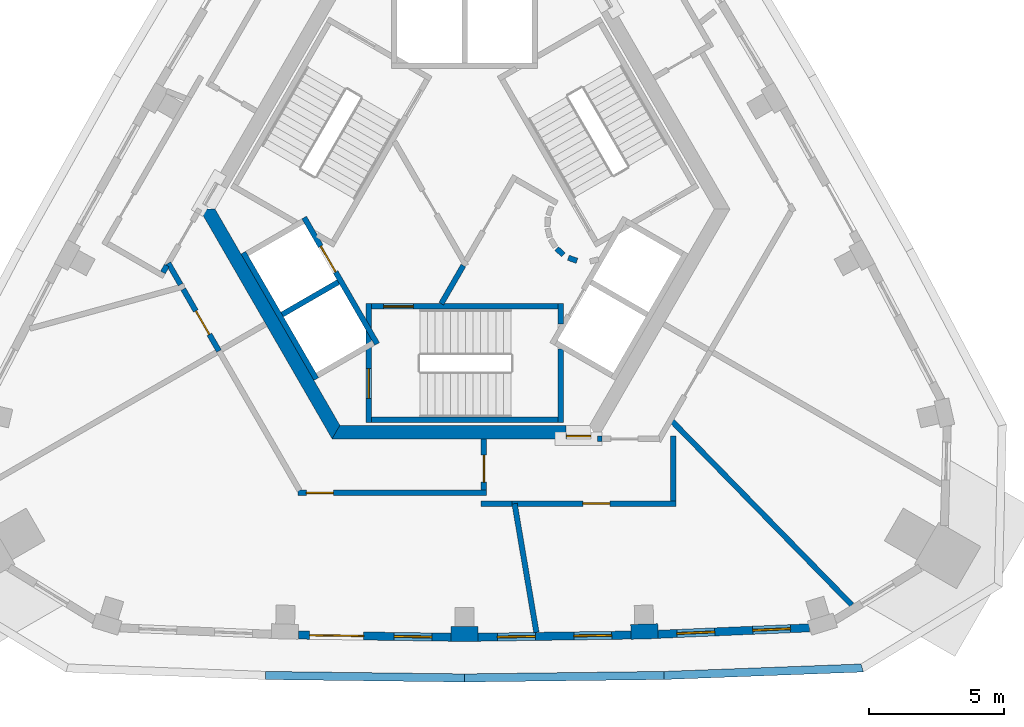
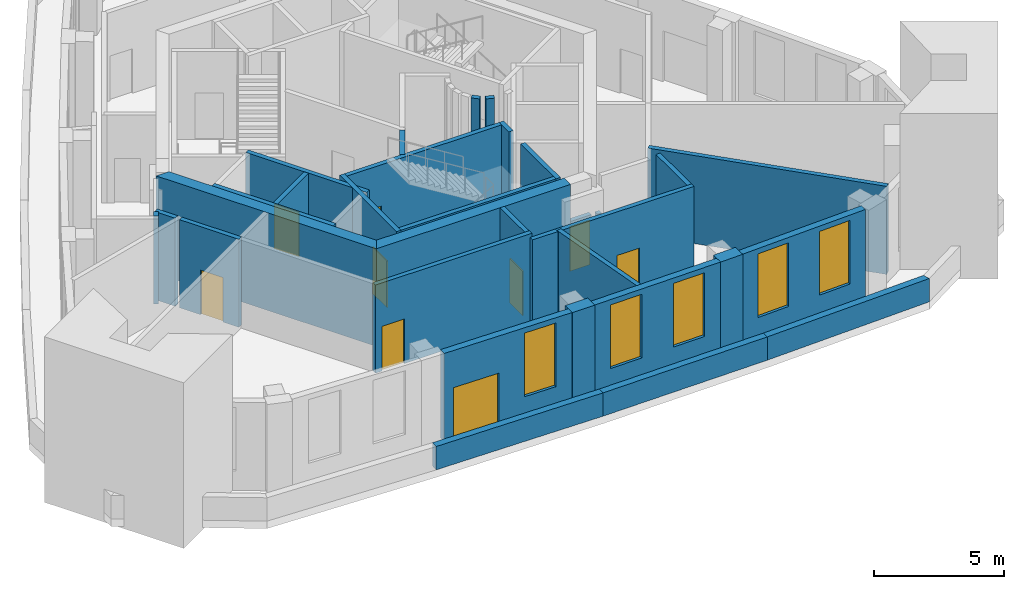
# One storey, part 2 of 7: 33 walls, 9 doors, 5 windows, 14 openings.
"""IFC4 building model written with IfcOpenShell, lengths in metres."""

from ifc_helpers import new_model, si_unit, direction, frame, frame_2d, origin, place, context, subcontext, project, spatial, polyline, rectangle, outline, extrude, material, layer, layer_set, type_object, element, fill, save


model = new_model("IFC4")

# Units and contexts
model_context = context("Model", 3, precision=1e-05, world=origin(), true_north=direction((0.0, 1.0)))
body_context = subcontext(model_context, "Body", "Model", "MODEL_VIEW")
ifc_project = project(units=[si_unit("LENGTHUNIT", "METRE"), si_unit("AREAUNIT", "SQUARE_METRE"), si_unit("VOLUMEUNIT", "CUBIC_METRE"), si_unit("PLANEANGLEUNIT", "RADIAN"), si_unit("MASSUNIT", "GRAM", prefix="KILO")], contexts=[model_context])

# Site, building, storey
site_placement = place(None, origin())
site = spatial("IfcSite", under=ifc_project, at=site_placement, CompositionType="ELEMENT")
building_placement = place(site_placement, origin())
building = spatial("IfcBuilding", under=site, at=building_placement, Name="Entoto Arch Interchange Tower", CompositionType="ELEMENT")
storey_placement = place(building_placement, frame((0.0, 0.0, 349.39990234375)))
storey = spatial("IfcBuildingStorey", under=building, at=storey_placement, Name="L82", CompositionType="ELEMENT", Elevation=349.39990234375)

# Wall, opening, door
ifc_material_1 = material(Name="Reinforced concrete C40/50", Category="concrete")
ifc_layer_1 = layer(ifc_material_1, 0.199951171875)
ifc_layer_set_1 = layer_set([ifc_layer_1], Name="Reinforced concrete C40/50")
wall_type_1 = type_object("IfcWallType", Name="CORE GAP INFILL WALL", PredefinedType="PARTITIONING", material=ifc_layer_set_1)
wall_1_placement = place(storey_placement, frame((3.75, -5.89990234375, 0.0), z_axis=(0.0, 0.0, 1.0), x_axis=(1.0, 0.0, 0.0)))
wall_1 = element("IfcWall", 1, at=wall_1_placement, inside=storey, type_object=wall_type_1, Name="wall:L82:gap1", PredefinedType="PARTITIONING", context=body_context, shape_type="SweptSolid", body=[
    extrude(rectangle(XDim=0.926025390625, YDim=0.199951171875, at=frame_2d((0.462890625, 0.0))), origin(), (0.0, 0.0, 1.0), 2.400146484375),
])
opening_1_placement = place(wall_1_placement, frame((0.01708984375, 0.0, 0.0)))
opening_1 = element("IfcOpeningElement", 2, at=opening_1_placement, cuts=wall_1, Name="Opening L82-D91", PredefinedType="OPENING", context=body_context, shape_type="SweptSolid", body=[
    extrude(rectangle(XDim=0.89990234375, YDim=2.10009765625, at=frame_2d((0.449951171875, 1.050048828125))), frame((0.0, 0.10986328125, 0.0), z_axis=(0.0, -1.0, 0.0), x_axis=(1.0, 0.0, 0.0)), (0.0, 0.0, 1.0), 0.219970703125),
])
ifc_material_2 = material(Name="Fire-rated Steel S235 door and frame", Category="steel")
door_type_1 = type_object("IfcDoorType", Name="DOOR FD-09 900x2100", OperationType="SINGLE_SWING_LEFT", PredefinedType="DOOR", material=ifc_material_2)
door_1_placement = place(opening_1_placement, origin())
door_1 = element("IfcDoor", 3, at=door_1_placement, inside=storey, type_object=door_type_1, Name="door:L82:gap1", OperationType="SINGLE_SWING_LEFT", OverallHeight=2.10009765625, OverallWidth=0.89990234375, PredefinedType="DOOR", context=body_context, shape_type="SweptSolid", body=[
    extrude(rectangle(XDim=0.89990234375, YDim=2.10009765625, at=frame_2d((0.449951171875, 1.050048828125))), frame((0.0, 0.02490234375, 0.0), z_axis=(0.0, -1.0, 0.0), x_axis=(1.0, 0.0, 0.0)), (0.0, 0.0, 1.0), 0.050048828125),
])
fill(opening_1, door_1)

# Walls
ifc_material_3 = material(Name="Concrete C40/50", Category="concrete")
ifc_layer_2 = layer(ifc_material_3, 0.5)
ifc_layer_set_2 = layer_set([ifc_layer_2], Name="Concrete C40/50")
wall_type_2 = type_object("IfcWallType", Name="Core wall 500 C40/50", PredefinedType="SHEAR", material=ifc_layer_set_2)
wall_2_placement = place(storey_placement, frame((0.0, 0.0, -0.449951171875)))
element("IfcWall", 4, at=wall_2_placement, inside=storey, type_object=wall_type_2, Name="Core wall SW L82", PredefinedType="SHEAR", context=body_context, shape_type="SweptSolid", body=[
    extrude(outline(polyline([(-9.81494140625, 2.5), (-4.906982421875, -6.0), (-4.618896484375, -5.5), (-9.238037109375, 2.5), (-9.81494140625, 2.5)])), origin(), (0.0, 0.0, 1.0), 4.60009765625),
])
wall_3_placement = place(storey_placement, frame((0.0, 0.0, -0.449951171875)))
element("IfcWall", 5, at=wall_3_placement, inside=storey, type_object=wall_type_2, Name="Core wall S L82", PredefinedType="SHEAR", context=body_context, shape_type="SweptSolid", body=[
    extrude(outline(polyline([(3.75, -6.0), (3.75, -5.5), (-4.618896484375, -5.5), (-4.906982421875, -6.0), (3.75, -6.0)])), origin(), (0.0, 0.0, 1.0), 4.60009765625),
])

# Wall, opening, door
ifc_layer_3 = layer(ifc_material_3, 0.199951171875)
ifc_layer_set_3 = layer_set([ifc_layer_3], Name="Concrete C40/50")
wall_type_3 = type_object("IfcWallType", Name="LIFT SHAFT WALL 200", PredefinedType="STANDARD", material=ifc_layer_set_3)
wall_4_placement = place(storey_placement, frame((-5.93994140625, 2.18798828125, 0.0), z_axis=(0.0, 0.0, 1.0), x_axis=(0.500034260056, -0.866005622828, 0.0)))
wall_4 = element("IfcWall", 6, at=wall_4_placement, inside=storey, type_object=wall_type_3, Name="Shaft wall SW1 front", PredefinedType="STANDARD", context=body_context, shape_type="SweptSolid", body=[
    extrude(rectangle(XDim=5.3994140625, YDim=0.199951171875, at=frame_2d((2.69970703125, 0.0))), origin(), (0.0, 0.0, 1.0), 4.150146484375),
])
opening_2_placement = place(wall_4_placement, frame((1.22509765625, 0.0, 0.0)))
opening_2 = element("IfcOpeningElement", 7, at=opening_2_placement, cuts=wall_4, Name="Opening LD-FF2-L82", PredefinedType="OPENING", context=body_context, shape_type="SweptSolid", body=[
    extrude(rectangle(XDim=1.10009765625, YDim=2.10009765625, at=frame_2d((0.550048828125, 1.050048828125))), frame((0.0, 0.10986328125, 0.0), z_axis=(0.0, -1.0, 0.0), x_axis=(1.0, 0.0, 0.0)), (0.0, 0.0, 1.0), 0.219970703125),
])
ifc_material_4 = material(Name="Stainless steel 1.4301 panels", Category="steel")
door_type_2 = type_object("IfcDoorType", Name="LIFT LANDING DOOR LD1 1100x2100", OperationType="SLIDING_TO_LEFT", PredefinedType="DOOR", material=ifc_material_4)
door_2_placement = place(opening_2_placement, origin())
door_2 = element("IfcDoor", 8, at=door_2_placement, inside=storey, type_object=door_type_2, Name="Lift landing door FF2 L82", OperationType="SLIDING_TO_LEFT", OverallHeight=2.10009765625, OverallWidth=1.10009765625, PredefinedType="DOOR", context=body_context, shape_type="SweptSolid", body=[
    extrude(rectangle(XDim=1.10009765625, YDim=2.10009765625, at=frame_2d((0.550048828125, 1.050048828125))), frame((0.0, 0.02490234375, 0.0), z_axis=(0.0, -1.0, 0.0), x_axis=(1.0, 0.0, 0.0)), (0.0, 0.0, 1.0), 0.050048828125),
])
fill(opening_2, door_2)

# Walls
wall_5_placement = place(storey_placement, frame((-8.19189453125, 0.887939453125, 0.0), z_axis=(0.0, 0.0, 1.0), x_axis=(0.500034260056, -0.866005622828, 0.0)))
element("IfcWall", 9, at=wall_5_placement, inside=storey, type_object=wall_type_3, Name="Shaft wall SW1 back", PredefinedType="STANDARD", context=body_context, shape_type="SweptSolid", body=[
    extrude(rectangle(XDim=5.3994140625, YDim=0.199951171875, at=frame_2d((2.69970703125, 0.0))), origin(), (0.0, 0.0, 1.0), 4.150146484375),
])
wall_6_placement = place(storey_placement, frame((-4.677001953125, -0.199951171875, 0.0), z_axis=(0.0, 0.0, 1.0), x_axis=(-0.865973769406, -0.500089422704, 0.0)))
element("IfcWall", 10, at=wall_6_placement, inside=storey, type_object=wall_type_3, Name="Shaft wall SW1 cross 2", PredefinedType="STANDARD", context=body_context, shape_type="SweptSolid", body=[
    extrude(rectangle(XDim=2.3994140625, YDim=0.199951171875, at=frame_2d((1.19970703125, 0.0))), origin(), (0.0, 0.0, 1.0), 4.150146484375),
])
ifc_material_5 = material(Name="Board-marked precast concrete C50/60", Category="concrete")
ifc_layer_4 = layer(ifc_material_5, 0.300048828125)
ifc_layer_set_4 = layer_set([ifc_layer_4], Name="Board-marked precast concrete C50/60")
wall_type_4 = type_object("IfcWallType", Name="PARAPET PRECAST 300", PredefinedType="PARAPET", material=ifc_layer_set_4)
wall_7_placement = place(storey_placement, origin())
element("IfcWall", 11, at=wall_7_placement, inside=storey, type_object=wall_type_4, Name="Setback roof parapet L82 2", PredefinedType="PARAPET", context=body_context, shape_type="SweptSolid", body=[
    extrude(outline(polyline([(-7.37890625, -14.907958984375), (0.0, -15.0), (0.0, -14.699951171875), (-7.37109375, -14.60791015625), (-7.37890625, -14.907958984375)])), origin(), (0.0, 0.0, 1.0), 1.10009765625),
])
wall_8_placement = place(storey_placement, origin())
element("IfcWall", 12, at=wall_8_placement, inside=storey, type_object=wall_type_4, Name="Setback roof parapet L82 3", PredefinedType="PARAPET", context=body_context, shape_type="SweptSolid", body=[
    extrude(outline(polyline([(0.0, -15.0), (7.37890625, -14.907958984375), (7.37109375, -14.60791015625), (0.0, -14.699951171875), (0.0, -15.0)])), origin(), (0.0, 0.0, 1.0), 1.10009765625),
])
wall_9_placement = place(storey_placement, origin())
element("IfcWall", 13, at=wall_9_placement, inside=storey, type_object=wall_type_4, Name="Setback roof parapet L82 4", PredefinedType="PARAPET", context=body_context, shape_type="SweptSolid", body=[
    extrude(outline(polyline([(7.37890625, -14.907958984375), (14.757080078125, -14.6298828125), (14.6669921875, -14.3330078125), (7.37109375, -14.60791015625), (7.37890625, -14.907958984375)])), origin(), (0.0, 0.0, 1.0), 1.10009765625),
])
ifc_material_6 = material(Name="Gypsum board partition on steel studs", Category="steel")
ifc_layer_5 = layer(ifc_material_6, 0.199951171875)
ifc_layer_set_5 = layer_set([ifc_layer_5], Name="Gypsum board partition on steel studs")
wall_type_5 = type_object("IfcWallType", Name="PARTITION 200", PredefinedType="PARTITIONING", material=ifc_layer_set_5)
wall_10_placement = place(storey_placement, frame((-0.865966796875, -1.0, 0.0), z_axis=(0.0, 0.0, 1.0), x_axis=(0.500033287521, 0.866006184372, 0.0)))
element("IfcWall", 14, at=wall_10_placement, inside=storey, type_object=wall_type_5, Name="wall:L82:p001", PredefinedType="PARTITIONING", context=body_context, shape_type="SweptSolid", body=[
    extrude(rectangle(XDim=1.6318359375, YDim=0.199951171875, at=frame_2d((0.81591796875, 0.0))), origin(), (0.0, 0.0, 1.0), 4.150146484375),
])
wall_11_placement = place(storey_placement, frame((3.404052734375, 1.0390625, 0.0), z_axis=(0.0, 0.0, 1.0), x_axis=(0.740267097712, -0.672312891476, 0.0)))
element("IfcWall", 15, at=wall_11_placement, inside=storey, type_object=wall_type_5, Name="wall:L82:p007", PredefinedType="PARTITIONING", context=body_context, shape_type="SweptSolid", body=[
    extrude(rectangle(XDim=0.337646484375, YDim=0.199951171875, at=frame_2d((0.1689453125, 0.0))), origin(), (0.0, 0.0, 1.0), 4.150146484375),
])
wall_12_placement = place(storey_placement, frame((3.837890625, 0.701904296875, 0.0), z_axis=(0.0, 0.0, 1.0), x_axis=(0.941035081519, -0.338308993895, 0.0)))
element("IfcWall", 16, at=wall_12_placement, inside=storey, type_object=wall_type_5, Name="wall:L82:p008", PredefinedType="PARTITIONING", context=body_context, shape_type="SweptSolid", body=[
    extrude(rectangle(XDim=0.3369140625, YDim=0.199951171875, at=frame_2d((0.16845703125, 0.0))), origin(), (0.0, 0.0, 1.0), 4.150146484375),
])

# Wall, opening, door
wall_13_placement = place(storey_placement, frame((0.712890625, -7.89990234375, 0.0), z_axis=(0.0, 0.0, 1.0), x_axis=(0.0, 1.0, 0.0)))
wall_13 = element("IfcWall", 17, at=wall_13_placement, inside=storey, type_object=wall_type_5, Name="wall:L82:p012", PredefinedType="PARTITIONING", context=body_context, shape_type="SweptSolid", body=[
    extrude(rectangle(XDim=1.89990234375, YDim=0.199951171875, at=frame_2d((0.949951171875, 0.0))), origin(), (0.0, 0.0, 1.0), 4.150146484375),
])
opening_3_placement = place(wall_13_placement, frame((0.300048828125, 0.0, 0.0)))
opening_3 = element("IfcOpeningElement", 18, at=opening_3_placement, cuts=wall_13, Name="Opening L82-D01", PredefinedType="OPENING", context=body_context, shape_type="SweptSolid", body=[
    extrude(rectangle(XDim=1.0, YDim=2.10009765625, at=frame_2d((0.5, 1.050048828125))), frame((0.0, 0.10986328125, 0.0), z_axis=(0.0, -1.0, 0.0), x_axis=(1.0, 0.0, 0.0)), (0.0, 0.0, 1.0), 0.219970703125),
])
door_type_3 = type_object("IfcDoorType", Name="DOOR FD-10 1000x2100", OperationType="SINGLE_SWING_LEFT", PredefinedType="DOOR", material=ifc_material_2)
door_3_placement = place(opening_3_placement, origin())
door_3 = element("IfcDoor", 19, at=door_3_placement, inside=storey, type_object=door_type_3, Name="door:L82:01", OperationType="SINGLE_SWING_LEFT", OverallHeight=2.10009765625, OverallWidth=1.0, PredefinedType="DOOR", context=body_context, shape_type="SweptSolid", body=[
    extrude(rectangle(XDim=1.0, YDim=2.10009765625, at=frame_2d((0.5, 1.050048828125))), frame((0.0, 0.02490234375, 0.0), z_axis=(0.0, -1.0, 0.0), x_axis=(1.0, 0.0, 0.0)), (0.0, 0.0, 1.0), 0.050048828125),
])
fill(opening_3, door_3)

# Wall
wall_14_placement = place(storey_placement, frame((4.906982421875, -6.0, 0.0), z_axis=(0.0, 0.0, 1.0), x_axis=(1.0, 0.0, 0.0)))
element("IfcWall", 20, at=wall_14_placement, inside=storey, type_object=wall_type_5, Name="wall:L82:p013", PredefinedType="PARTITIONING", context=body_context, shape_type="SweptSolid", body=[
    extrude(rectangle(XDim=0.1689453125, YDim=0.199951171875, at=frame_2d((0.08447265625, 0.0))), origin(), (0.0, 0.0, 1.0), 2.400146484375),
])

# Wall, opening, door
wall_15_placement = place(storey_placement, frame((7.81298828125, -8.39990234375, 0.0), z_axis=(0.0, 0.0, 1.0), x_axis=(-1.0, 0.0, 0.0)))
wall_15 = element("IfcWall", 21, at=wall_15_placement, inside=storey, type_object=wall_type_5, Name="wall:L82:p014", PredefinedType="PARTITIONING", context=body_context, shape_type="SweptSolid", body=[
    extrude(rectangle(XDim=6.06591796875, YDim=0.199951171875, at=frame_2d((3.032958984375, 0.0))), origin(), (0.0, 0.0, 1.0), 4.150146484375),
])
opening_4_placement = place(wall_15_placement, frame((2.43603515625, 0.0, 0.0)))
opening_4 = element("IfcOpeningElement", 22, at=opening_4_placement, cuts=wall_15, Name="Opening L82-D03", PredefinedType="OPENING", context=body_context, shape_type="SweptSolid", body=[
    extrude(rectangle(XDim=1.0, YDim=2.10009765625, at=frame_2d((0.5, 1.050048828125))), frame((0.0, 0.10986328125, 0.0), z_axis=(0.0, -1.0, 0.0), x_axis=(1.0, 0.0, 0.0)), (0.0, 0.0, 1.0), 0.219970703125),
])
door_4_placement = place(opening_4_placement, origin())
door_4 = element("IfcDoor", 23, at=door_4_placement, inside=storey, type_object=door_type_3, Name="door:L82:03", OperationType="SINGLE_SWING_LEFT", OverallHeight=2.10009765625, OverallWidth=1.0, PredefinedType="DOOR", context=body_context, shape_type="SweptSolid", body=[
    extrude(rectangle(XDim=1.0, YDim=2.10009765625, at=frame_2d((0.5, 1.050048828125))), frame((0.0, 0.02490234375, 0.0), z_axis=(0.0, -1.0, 0.0), x_axis=(1.0, 0.0, 0.0)), (0.0, 0.0, 1.0), 0.050048828125),
])
fill(opening_4, door_4)

# Walls
wall_16_placement = place(storey_placement, frame((7.712890625, -5.89990234375, 0.0), z_axis=(0.0, 0.0, 1.0), x_axis=(0.0, -1.0, 0.0)))
element("IfcWall", 24, at=wall_16_placement, inside=storey, type_object=wall_type_5, Name="wall:L82:p015", PredefinedType="PARTITIONING", context=body_context, shape_type="SweptSolid", body=[
    extrude(rectangle(XDim=2.400146484375, YDim=0.199951171875, at=frame_2d((1.2001953125, 0.0))), origin(), (0.0, 0.0, 1.0), 4.150146484375),
])
wall_17_placement = place(storey_placement, frame((1.7470703125, -8.39990234375, 0.0), z_axis=(0.0, 0.0, 1.0), x_axis=(-1.0, 0.0, 0.0)))
element("IfcWall", 25, at=wall_17_placement, inside=storey, type_object=wall_type_5, Name="wall:L82:p016", PredefinedType="PARTITIONING", context=body_context, shape_type="SweptSolid", body=[
    extrude(rectangle(XDim=1.134033203125, YDim=0.199951171875, at=frame_2d((0.56689453125, 0.0))), origin(), (0.0, 0.0, 1.0), 4.150146484375),
])

# Wall, opening, door
wall_18_placement = place(storey_placement, frame((0.81298828125, -8.0, 0.0), z_axis=(0.0, 0.0, 1.0), x_axis=(-1.0, 0.0, 0.0)))
wall_18 = element("IfcWall", 26, at=wall_18_placement, inside=storey, type_object=wall_type_5, Name="wall:L82:p017", PredefinedType="PARTITIONING", context=body_context, shape_type="SweptSolid", body=[
    extrude(rectangle(XDim=6.97509765625, YDim=0.199951171875, at=frame_2d((3.487548828125, 0.0))), origin(), (0.0, 0.0, 1.0), 4.150146484375),
])
opening_5_placement = place(wall_18_placement, frame((5.675048828125, 0.0, 0.0)))
opening_5 = element("IfcOpeningElement", 27, at=opening_5_placement, cuts=wall_18, Name="Opening L82-D04", PredefinedType="OPENING", context=body_context, shape_type="SweptSolid", body=[
    extrude(rectangle(XDim=1.0, YDim=2.10009765625, at=frame_2d((0.5, 1.050048828125))), frame((0.0, 0.10986328125, 0.0), z_axis=(0.0, -1.0, 0.0), x_axis=(1.0, 0.0, 0.0)), (0.0, 0.0, 1.0), 0.219970703125),
])
door_5_placement = place(opening_5_placement, origin())
door_5 = element("IfcDoor", 28, at=door_5_placement, inside=storey, type_object=door_type_3, Name="door:L82:04", OperationType="SINGLE_SWING_RIGHT", OverallHeight=2.10009765625, OverallWidth=1.0, PredefinedType="DOOR", context=body_context, shape_type="SweptSolid", body=[
    extrude(rectangle(XDim=1.0, YDim=2.10009765625, at=frame_2d((0.5, 1.050048828125))), frame((0.0, 0.02490234375, 0.0), z_axis=(0.0, -1.0, 0.0), x_axis=(1.0, 0.0, 0.0)), (0.0, 0.0, 1.0), 0.050048828125),
])
fill(opening_5, door_5)

# Walls
wall_19_placement = place(storey_placement, frame((2.654052734375, -13.162109375, 0.0), z_axis=(0.0, 0.0, 1.0), x_axis=(-0.167103233432, 0.985939404516, 0.0)))
element("IfcWall", 29, at=wall_19_placement, inside=storey, type_object=wall_type_5, Name="wall:L82:p022", PredefinedType="PARTITIONING", context=body_context, shape_type="SweptSolid", body=[
    extrude(rectangle(XDim=4.830078125, YDim=0.199951171875, at=frame_2d((2.4150390625, 0.0))), origin(), (0.0, 0.0, 1.0), 4.150146484375),
])
wall_20_placement = place(storey_placement, frame((7.6240234375, -5.294921875, 0.0), z_axis=(0.0, 0.0, 1.0), x_axis=(0.699233052575, -0.71489379504, 0.0)))
element("IfcWall", 30, at=wall_20_placement, inside=storey, type_object=wall_type_5, Name="wall:L82:p023", PredefinedType="PARTITIONING", context=body_context, shape_type="SweptSolid", body=[
    extrude(rectangle(XDim=9.58740234375, YDim=0.199951171875, at=frame_2d((4.793701171875, 0.0))), origin(), (0.0, 0.0, 1.0), 4.150146484375),
])
wall_21_placement = place(storey_placement, frame((-11.02001953125, 0.4130859375, 0.0), z_axis=(0.0, 0.0, 1.0), x_axis=(-0.500222587251, -0.865896854829, 0.0)))
element("IfcWall", 31, at=wall_21_placement, inside=storey, type_object=wall_type_5, Name="wall:L82:p041", PredefinedType="PARTITIONING", context=body_context, shape_type="SweptSolid", body=[
    extrude(rectangle(XDim=0.295654296875, YDim=0.199951171875, at=frame_2d((0.14794921875, 0.0))), origin(), (0.0, 0.0, 1.0), 4.150146484375),
])
wall_22_placement = place(storey_placement, frame((-10.513916015625, -0.2890625, 0.0), z_axis=(0.0, 0.0, 1.0), x_axis=(-0.500402557727, 0.865792862191, 0.0)))
element("IfcWall", 32, at=wall_22_placement, inside=storey, type_object=wall_type_5, Name="wall:L82:p047", PredefinedType="PARTITIONING", context=body_context, shape_type="SweptSolid", body=[
    extrude(rectangle(XDim=0.911376953125, YDim=0.199951171875, at=frame_2d((0.45556640625, 0.0))), origin(), (0.0, 0.0, 1.0), 4.150146484375),
])

# Wall, opening, door
wall_23_placement = place(storey_placement, frame((-9.093017578125, -2.75, 0.0), z_axis=(0.0, 0.0, 1.0), x_axis=(-0.50016517285, 0.865930020191, 0.0)))
wall_23 = element("IfcWall", 33, at=wall_23_placement, inside=storey, type_object=wall_type_5, Name="wall:L82:p048", PredefinedType="PARTITIONING", context=body_context, shape_type="SweptSolid", body=[
    extrude(rectangle(XDim=2.64111328125, YDim=0.199951171875, at=frame_2d((1.320556640625, 0.0))), origin(), (0.0, 0.0, 1.0), 4.150146484375),
])
opening_6_placement = place(wall_23_placement, frame((0.7119140625, 0.0, 0.0)))
opening_6 = element("IfcOpeningElement", 34, at=opening_6_placement, cuts=wall_23, Name="Opening L82-D15", PredefinedType="OPENING", context=body_context, shape_type="SweptSolid", body=[
    extrude(rectangle(XDim=1.0, YDim=2.10009765625, at=frame_2d((0.5, 1.050048828125))), frame((0.0, 0.10986328125, 0.0), z_axis=(0.0, -1.0, 0.0), x_axis=(1.0, 0.0, 0.0)), (0.0, 0.0, 1.0), 0.219970703125),
])
door_6_placement = place(opening_6_placement, origin())
door_6 = element("IfcDoor", 35, at=door_6_placement, inside=storey, type_object=door_type_3, Name="door:L82:15", OperationType="SINGLE_SWING_LEFT", OverallHeight=2.10009765625, OverallWidth=1.0, PredefinedType="DOOR", context=body_context, shape_type="SweptSolid", body=[
    extrude(rectangle(XDim=1.0, YDim=2.10009765625, at=frame_2d((0.5, 1.050048828125))), frame((0.0, 0.02490234375, 0.0), z_axis=(0.0, -1.0, 0.0), x_axis=(1.0, 0.0, 0.0)), (0.0, 0.0, 1.0), 0.050048828125),
])
fill(opening_6, door_6)

ifc_layer_6 = layer(ifc_material_3, 0.199951171875)
ifc_layer_set_6 = layer_set([ifc_layer_6], Name="Concrete C40/50")
wall_type_6 = type_object("IfcWallType", Name="STAIR ENCLOSURE WALL 200", PredefinedType="STANDARD", material=ifc_layer_set_6)
wall_24_placement = place(storey_placement, frame((-3.550048828125, -1.0, 0.0), z_axis=(0.0, 0.0, 1.0), x_axis=(0.0, -1.0, 0.0)))
wall_24 = element("IfcWall", 36, at=wall_24_placement, inside=storey, type_object=wall_type_6, Name="Stair wall ST-S near", PredefinedType="STANDARD", context=body_context, shape_type="SweptSolid", body=[
    extrude(rectangle(XDim=4.39990234375, YDim=0.199951171875, at=frame_2d((2.199951171875, 0.0))), origin(), (0.0, 0.0, 1.0), 4.150146484375),
])
opening_7_placement = place(wall_24_placement, frame((2.39990234375, 0.0, 0.0)))
opening_7 = element("IfcOpeningElement", 37, at=opening_7_placement, cuts=wall_24, Name="Opening SD-ST-S-L82-E", PredefinedType="OPENING", context=body_context, shape_type="SweptSolid", body=[
    extrude(rectangle(XDim=1.10009765625, YDim=2.199951171875, at=frame_2d((0.550048828125, 1.10009765625))), frame((0.0, 0.10986328125, 0.0), z_axis=(0.0, -1.0, 0.0), x_axis=(1.0, 0.0, 0.0)), (0.0, 0.0, 1.0), 0.219970703125),
])
ifc_material_7 = material(Name="Steel S235", Category="steel")
door_type_4 = type_object("IfcDoorType", Name="STAIR DOOR SD1 1100x2200", OperationType="SINGLE_SWING_LEFT", PredefinedType="DOOR", material=ifc_material_7)
door_7_placement = place(opening_7_placement, origin())
door_7 = element("IfcDoor", 38, at=door_7_placement, inside=storey, type_object=door_type_4, Name="Stair door ST-S L82 end", OperationType="SINGLE_SWING_LEFT", OverallHeight=2.199951171875, OverallWidth=1.10009765625, PredefinedType="DOOR", context=body_context, shape_type="SweptSolid", body=[
    extrude(rectangle(XDim=1.10009765625, YDim=2.199951171875, at=frame_2d((0.550048828125, 1.10009765625))), frame((0.0, 0.02490234375, 0.0), z_axis=(0.0, -1.0, 0.0), x_axis=(1.0, 0.0, 0.0)), (0.0, 0.0, 1.0), 0.050048828125),
])
fill(opening_7, door_7)

# Walls
wall_25_placement = place(storey_placement, frame((3.550048828125, -2.6669921875, 0.0), z_axis=(0.0, 0.0, 1.0), x_axis=(0.0, -1.0, 0.0)))
element("IfcWall", 39, at=wall_25_placement, inside=storey, type_object=wall_type_6, Name="Stair wall ST-S far", PredefinedType="STANDARD", context=body_context, shape_type="SweptSolid", body=[
    extrude(rectangle(XDim=2.73291015625, YDim=0.199951171875, at=frame_2d((1.366455078125, 0.0))), origin(), (0.0, 0.0, 1.0), 4.150146484375),
])
wall_26_placement = place(storey_placement, frame((3.550048828125, -1.0, 0.0), z_axis=(0.0, 0.0, 1.0), x_axis=(0.0, -1.0, 0.0)))
element("IfcWall", 40, at=wall_26_placement, inside=storey, type_object=wall_type_6, Name="Stair wall ST-S far return", PredefinedType="STANDARD", context=body_context, shape_type="SweptSolid", body=[
    extrude(rectangle(XDim=0.7509765625, YDim=0.199951171875, at=frame_2d((0.37548828125, 0.0))), origin(), (0.0, 0.0, 1.0), 4.150146484375),
])

# Wall, opening, door
wall_27_placement = place(storey_placement, frame((-3.449951171875, -1.10009765625, 0.0), z_axis=(0.0, 0.0, 1.0), x_axis=(1.0, 0.0, 0.0)))
wall_27 = element("IfcWall", 41, at=wall_27_placement, inside=storey, type_object=wall_type_6, Name="Stair wall ST-S hall", PredefinedType="STANDARD", context=body_context, shape_type="SweptSolid", body=[
    extrude(rectangle(XDim=6.89990234375, YDim=0.199951171875, at=frame_2d((3.449951171875, 0.0))), origin(), (0.0, 0.0, 1.0), 4.150146484375),
])
opening_8_placement = place(wall_27_placement, frame((0.449951171875, 0.0, 0.0)))
opening_8 = element("IfcOpeningElement", 42, at=opening_8_placement, cuts=wall_27, Name="Opening SD-ST-S-L82", PredefinedType="OPENING", context=body_context, shape_type="SweptSolid", body=[
    extrude(rectangle(XDim=1.10009765625, YDim=2.199951171875, at=frame_2d((0.550048828125, 1.10009765625))), frame((0.0, 0.10986328125, 0.0), z_axis=(0.0, -1.0, 0.0), x_axis=(1.0, 0.0, 0.0)), (0.0, 0.0, 1.0), 0.219970703125),
])
door_8_placement = place(opening_8_placement, origin())
door_8 = element("IfcDoor", 43, at=door_8_placement, inside=storey, type_object=door_type_4, Name="Stair door ST-S L82", OperationType="SINGLE_SWING_LEFT", OverallHeight=2.199951171875, OverallWidth=1.10009765625, PredefinedType="DOOR", context=body_context, shape_type="SweptSolid", body=[
    extrude(rectangle(XDim=1.10009765625, YDim=2.199951171875, at=frame_2d((0.550048828125, 1.10009765625))), frame((0.0, 0.02490234375, 0.0), z_axis=(0.0, -1.0, 0.0), x_axis=(1.0, 0.0, 0.0)), (0.0, 0.0, 1.0), 0.050048828125),
])
fill(opening_8, door_8)

# Wall
wall_28_placement = place(storey_placement, frame((-3.449951171875, -5.300048828125, 0.0), z_axis=(0.0, 0.0, 1.0), x_axis=(1.0, 0.0, 0.0)))
element("IfcWall", 44, at=wall_28_placement, inside=storey, type_object=wall_type_6, Name="Stair wall ST-S back", PredefinedType="STANDARD", context=body_context, shape_type="SweptSolid", body=[
    extrude(rectangle(XDim=6.89990234375, YDim=0.199951171875, at=frame_2d((3.449951171875, 0.0))), origin(), (0.0, 0.0, 1.0), 4.150146484375),
])

# Wall, openings, door, window
ifc_material_8 = material(Name="Welded tuff (ignimbrite) cladding, warm buff", Category="masonry")
ifc_layer_7 = layer(ifc_material_8, 0.300048828125)
ifc_layer_set_7 = layer_set([ifc_layer_7], Name="Welded tuff (ignimbrite) cladding, warm buff")
wall_type_7 = type_object("IfcWallType", Name="STONE INFILL WALL 300", PredefinedType="STANDARD", material=ifc_layer_set_7)
wall_29_placement = place(storey_placement, frame((-6.156982421875, -13.262939453125, 0.0), z_axis=(0.0, 0.0, 1.0), x_axis=(0.99989985876, -0.014151764991, 0.0)))
wall_29 = element("IfcWall", 45, at=wall_29_placement, inside=storey, type_object=wall_type_7, Name="Facade wall S-02 L82", PredefinedType="STANDARD", context=body_context, shape_type="SweptSolid", body=[
    extrude(rectangle(XDim=5.658447265625, YDim=0.300048828125, at=frame_2d((2.8291015625, 0.0))), origin(), (0.0, 0.0, 1.0), 4.150146484375),
])
opening_9_placement = place(wall_29_placement, frame((0.4150390625, 0.0, 0.0)))
opening_9 = element("IfcOpeningElement", 46, at=opening_9_placement, cuts=wall_29, Name="Opening DT-S-02-L82", PredefinedType="OPENING", context=body_context, shape_type="SweptSolid", body=[
    extrude(rectangle(XDim=2.0, YDim=2.39990234375, at=frame_2d((1.0, 1.199951171875))), frame((0.0, 0.16015625, 0.0), z_axis=(0.0, -1.0, 0.0), x_axis=(1.0, 0.0, 0.0)), (0.0, 0.0, 1.0), 0.320068359375),
])
opening_10_placement = place(wall_29_placement, frame((3.5439453125, 0.0, 0.89990234375)))
opening_10 = element("IfcOpeningElement", 47, at=opening_10_placement, cuts=wall_29, Name="Opening WK-B", PredefinedType="OPENING", context=body_context, shape_type="SweptSolid", body=[
    extrude(rectangle(XDim=1.39990234375, YDim=3.0, at=frame_2d((0.699951171875, 1.5))), frame((0.0, 0.16015625, 0.0), z_axis=(0.0, -1.0, 0.0), x_axis=(1.0, 0.0, 0.0)), (0.0, 0.0, 1.0), 0.320068359375),
])
ifc_material_9 = material(Name="Aluminium and clear glass, anodised", Category="aluminium")
door_type_5 = type_object("IfcDoorType", Name="TERRACE DOOR DT 2000x2400", OperationType="SLIDING_TO_LEFT", PredefinedType="DOOR", material=ifc_material_9)
door_9_placement = place(opening_9_placement, origin())
door_9 = element("IfcDoor", 48, at=door_9_placement, inside=storey, type_object=door_type_5, Name="Terrace door S-02 L82", OperationType="SLIDING_TO_LEFT", OverallHeight=2.39990234375, OverallWidth=2.0, PredefinedType="DOOR", context=body_context, shape_type="SweptSolid", body=[
    extrude(rectangle(XDim=2.0, YDim=2.39990234375, at=frame_2d((1.0, 1.199951171875))), frame((0.0, 0.02490234375, 0.0), z_axis=(0.0, -1.0, 0.0), x_axis=(1.0, 0.0, 0.0)), (0.0, 0.0, 1.0), 0.050048828125),
])
fill(opening_9, door_9)
ifc_material_10 = material(Name="Clear glass, low-e double glazed", Category="glass")
window_type = type_object("IfcWindowType", Name="WINDOW WK-B 1400x3000", PartitioningType="DOUBLE_PANEL_VERTICAL", PredefinedType="WINDOW", material=ifc_material_10)
window_1_placement = place(opening_10_placement, origin())
window_1 = element("IfcWindow", 49, at=window_1_placement, inside=storey, type_object=window_type, Name="Window WK-B S-02 L82", OverallHeight=3.0, OverallWidth=1.39990234375, PartitioningType="SINGLE_PANEL", PredefinedType="WINDOW", context=body_context, shape_type="SweptSolid", body=[
    extrude(rectangle(XDim=1.39990234375, YDim=3.0, at=frame_2d((0.699951171875, 1.5))), frame((0.0, 0.030029296875, 0.0), z_axis=(0.0, -1.0, 0.0), x_axis=(1.0, 0.0, 0.0)), (0.0, 0.0, 1.0), 0.06005859375),
])
fill(opening_10, window_1)

# Wall, openings, windows
wall_30_placement = place(storey_placement, frame((0.4990234375, -13.343017578125, 0.0), z_axis=(0.0, 0.0, 1.0), x_axis=(0.99989985876, 0.014151764991, 0.0)))
wall_30 = element("IfcWall", 50, at=wall_30_placement, inside=storey, type_object=wall_type_7, Name="Facade wall S-03 L82", PredefinedType="STANDARD", context=body_context, shape_type="SweptSolid", body=[
    extrude(rectangle(XDim=5.658447265625, YDim=0.300048828125, at=frame_2d((2.8291015625, 0.0))), origin(), (0.0, 0.0, 1.0), 4.150146484375),
])
opening_11_placement = place(wall_30_placement, frame((0.715087890625, 0.0, 0.89990234375)))
opening_11 = element("IfcOpeningElement", 51, at=opening_11_placement, cuts=wall_30, Name="Opening WK-B", PredefinedType="OPENING", context=body_context, shape_type="SweptSolid", body=[
    extrude(rectangle(XDim=1.39990234375, YDim=3.0, at=frame_2d((0.699951171875, 1.5))), frame((0.0, 0.16015625, 0.0), z_axis=(0.0, -1.0, 0.0), x_axis=(1.0, 0.0, 0.0)), (0.0, 0.0, 1.0), 0.320068359375),
])
opening_12_placement = place(wall_30_placement, frame((3.5439453125, 0.0, 0.89990234375)))
opening_12 = element("IfcOpeningElement", 52, at=opening_12_placement, cuts=wall_30, Name="Opening WK-B", PredefinedType="OPENING", context=body_context, shape_type="SweptSolid", body=[
    extrude(rectangle(XDim=1.39990234375, YDim=3.0, at=frame_2d((0.699951171875, 1.5))), frame((0.0, 0.16015625, 0.0), z_axis=(0.0, -1.0, 0.0), x_axis=(1.0, 0.0, 0.0)), (0.0, 0.0, 1.0), 0.320068359375),
])
window_2_placement = place(opening_11_placement, origin())
window_2 = element("IfcWindow", 53, at=window_2_placement, inside=storey, type_object=window_type, Name="Window WK-B S-03 L82", OverallHeight=3.0, OverallWidth=1.39990234375, PartitioningType="SINGLE_PANEL", PredefinedType="WINDOW", context=body_context, shape_type="SweptSolid", body=[
    extrude(rectangle(XDim=1.39990234375, YDim=3.0, at=frame_2d((0.699951171875, 1.5))), frame((0.0, 0.030029296875, 0.0), z_axis=(0.0, -1.0, 0.0), x_axis=(1.0, 0.0, 0.0)), (0.0, 0.0, 1.0), 0.06005859375),
])
fill(opening_11, window_2)
window_3_placement = place(opening_12_placement, origin())
window_3 = element("IfcWindow", 54, at=window_3_placement, inside=storey, type_object=window_type, Name="Window WK-B S-03 L82", OverallHeight=3.0, OverallWidth=1.39990234375, PartitioningType="SINGLE_PANEL", PredefinedType="WINDOW", context=body_context, shape_type="SweptSolid", body=[
    extrude(rectangle(XDim=1.39990234375, YDim=3.0, at=frame_2d((0.699951171875, 1.5))), frame((0.0, 0.030029296875, 0.0), z_axis=(0.0, -1.0, 0.0), x_axis=(1.0, 0.0, 0.0)), (0.0, 0.0, 1.0), 0.06005859375),
])
fill(opening_12, window_3)

wall_31_placement = place(storey_placement, frame((7.154052734375, -13.235107421875, 0.0), z_axis=(0.0, 0.0, 1.0), x_axis=(0.999092021685, 0.042604368378, 0.0)))
wall_31 = element("IfcWall", 55, at=wall_31_placement, inside=storey, type_object=wall_type_7, Name="Facade wall S-04 L82", PredefinedType="STANDARD", context=body_context, shape_type="SweptSolid", body=[
    extrude(rectangle(XDim=5.610107421875, YDim=0.300048828125, at=frame_2d((2.80517578125, 0.0))), origin(), (0.0, 0.0, 1.0), 4.150146484375),
])
opening_13_placement = place(wall_31_placement, frame((0.702880859375, 0.0, 0.89990234375)))
opening_13 = element("IfcOpeningElement", 56, at=opening_13_placement, cuts=wall_31, Name="Opening WK-B", PredefinedType="OPENING", context=body_context, shape_type="SweptSolid", body=[
    extrude(rectangle(XDim=1.39990234375, YDim=3.0, at=frame_2d((0.699951171875, 1.5))), frame((0.0, 0.16015625, 0.0), z_axis=(0.0, -1.0, 0.0), x_axis=(1.0, 0.0, 0.0)), (0.0, 0.0, 1.0), 0.320068359375),
])
opening_14_placement = place(wall_31_placement, frame((3.508056640625, 0.0, 0.89990234375)))
opening_14 = element("IfcOpeningElement", 57, at=opening_14_placement, cuts=wall_31, Name="Opening WK-B", PredefinedType="OPENING", context=body_context, shape_type="SweptSolid", body=[
    extrude(rectangle(XDim=1.39990234375, YDim=3.0, at=frame_2d((0.699951171875, 1.5))), frame((0.0, 0.16015625, 0.0), z_axis=(0.0, -1.0, 0.0), x_axis=(1.0, 0.0, 0.0)), (0.0, 0.0, 1.0), 0.320068359375),
])
window_4_placement = place(opening_13_placement, origin())
window_4 = element("IfcWindow", 58, at=window_4_placement, inside=storey, type_object=window_type, Name="Window WK-B S-04 L82", OverallHeight=3.0, OverallWidth=1.39990234375, PartitioningType="SINGLE_PANEL", PredefinedType="WINDOW", context=body_context, shape_type="SweptSolid", body=[
    extrude(rectangle(XDim=1.39990234375, YDim=3.0, at=frame_2d((0.699951171875, 1.5))), frame((0.0, 0.030029296875, 0.0), z_axis=(0.0, -1.0, 0.0), x_axis=(1.0, 0.0, 0.0)), (0.0, 0.0, 1.0), 0.06005859375),
])
fill(opening_13, window_4)
window_5_placement = place(opening_14_placement, origin())
window_5 = element("IfcWindow", 59, at=window_5_placement, inside=storey, type_object=window_type, Name="Window WK-B S-04 L82", OverallHeight=3.0, OverallWidth=1.39990234375, PartitioningType="SINGLE_PANEL", PredefinedType="WINDOW", context=body_context, shape_type="SweptSolid", body=[
    extrude(rectangle(XDim=1.39990234375, YDim=3.0, at=frame_2d((0.699951171875, 1.5))), frame((0.0, 0.030029296875, 0.0), z_axis=(0.0, -1.0, 0.0), x_axis=(1.0, 0.0, 0.0)), (0.0, 0.0, 1.0), 0.06005859375),
])
fill(opening_14, window_5)

# Walls
ifc_layer_8 = layer(ifc_material_8, 0.550048828125)
ifc_layer_set_8 = layer_set([ifc_layer_8], Name="Welded tuff (ignimbrite) cladding, warm buff")
wall_type_8 = type_object("IfcWallType", Name="STONE PIER CLADDING 550", PredefinedType="STANDARD", material=ifc_layer_set_8)
wall_32_placement = place(storey_placement, frame((-0.5, -13.22509765625, 0.0), z_axis=(0.0, 0.0, 1.0), x_axis=(1.0, 0.0, 0.0)))
element("IfcWall", 60, at=wall_32_placement, inside=storey, type_object=wall_type_8, Name="Stone pier S03 L82", PredefinedType="STANDARD", context=body_context, shape_type="SweptSolid", body=[
    extrude(rectangle(XDim=1.0, YDim=0.550048828125, at=frame_2d((0.5, 0.0))), origin(), (0.0, 0.0, 1.0), 4.150146484375),
])
wall_33_placement = place(storey_placement, frame((6.152099609375, -13.14501953125, 0.0), z_axis=(0.0, 0.0, 1.0), x_axis=(0.999606097148, 0.028065112591, 0.0)))
element("IfcWall", 61, at=wall_33_placement, inside=storey, type_object=wall_type_8, Name="Stone pier S04 L82", PredefinedType="STANDARD", context=body_context, shape_type="SweptSolid", body=[
    extrude(rectangle(XDim=1.00048828125, YDim=0.550048828125, at=frame_2d((0.500244140625, 0.0))), origin(), (0.0, 0.0, 1.0), 4.150146484375),
])

save(model, "model.ifc")
